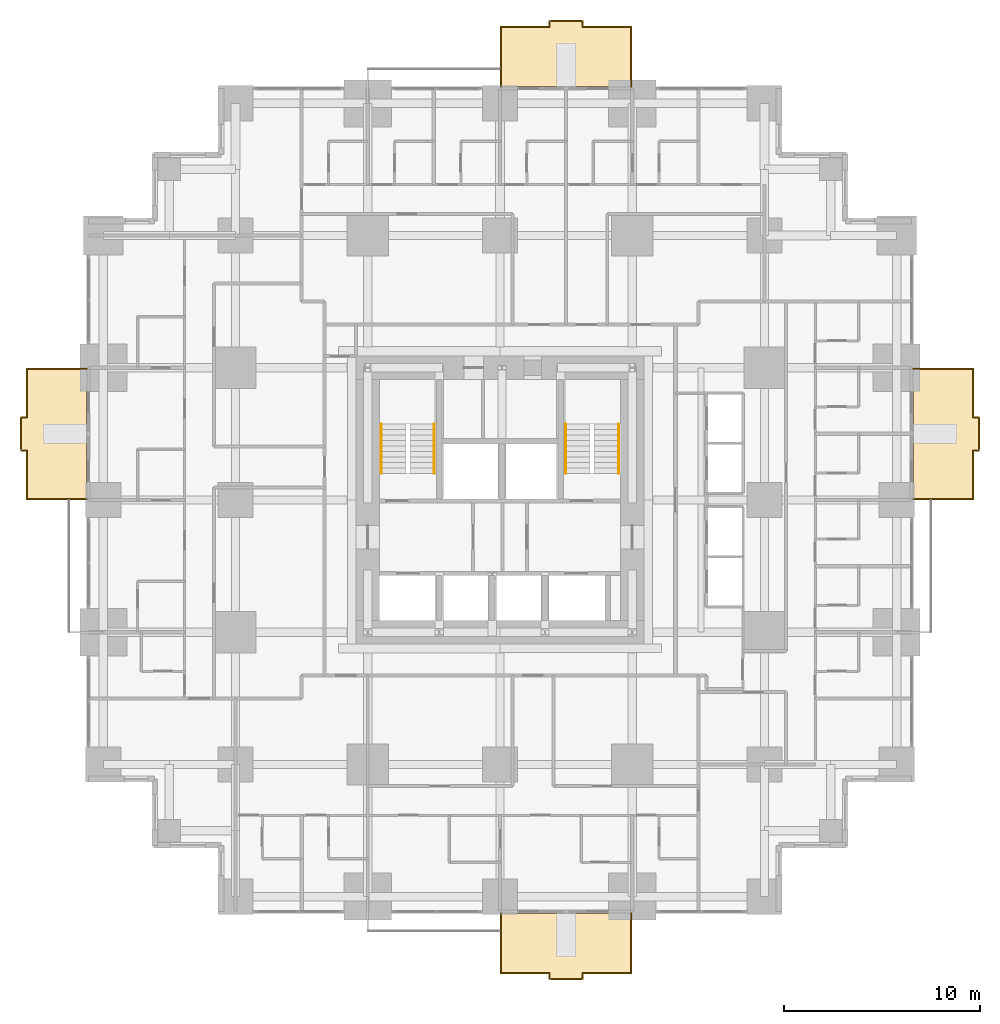
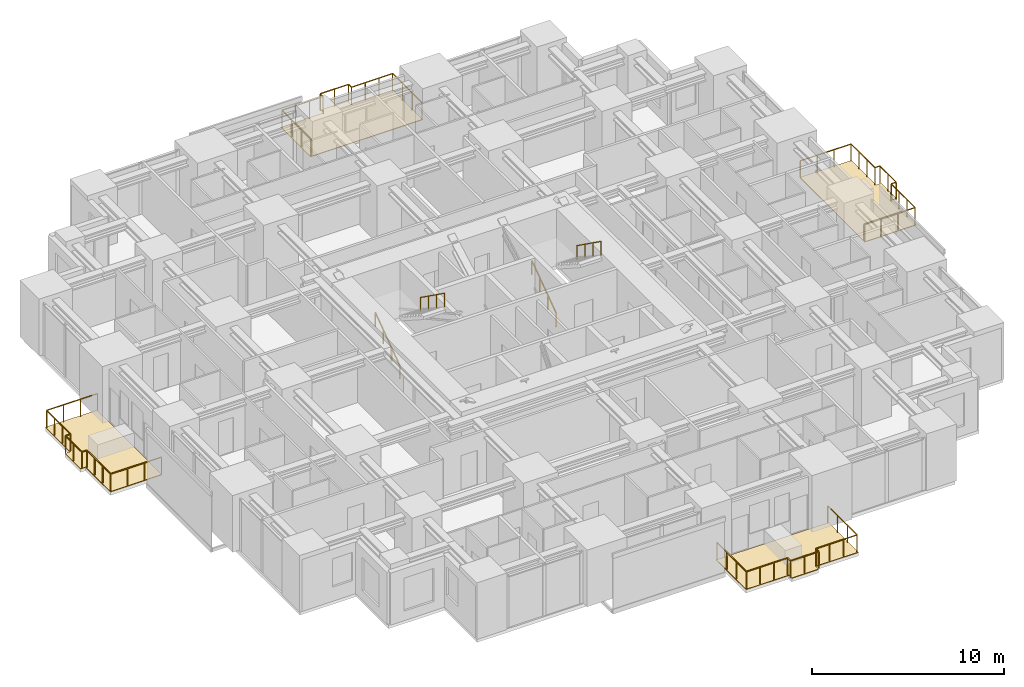
# One storey, part 15 of 15: 8 railings, 4 coverings.
"""IFC4 building model written with IfcOpenShell, lengths in metres."""

from ifc_helpers import new_model, si_unit, direction, frame, origin, origin_2d, place, context, subcontext, project, spatial, polyline, rectangle, outline, extrude, material, layer, layer_set, type_object, element, save


model = new_model("IFC4")

# Units and contexts
model_context = context("Model", 3, precision=1e-05, world=origin(), true_north=direction((0.0, 1.0)))
body_context = subcontext(model_context, "Body", "Model", "MODEL_VIEW")
ifc_project = project(units=[si_unit("LENGTHUNIT", "METRE"), si_unit("AREAUNIT", "SQUARE_METRE"), si_unit("VOLUMEUNIT", "CUBIC_METRE"), si_unit("PLANEANGLEUNIT", "RADIAN"), si_unit("MASSUNIT", "GRAM", prefix="KILO")], contexts=[model_context])

# Site, building, storey
site_placement = place(None, origin())
site = spatial("IfcSite", under=ifc_project, at=site_placement, CompositionType="ELEMENT")
building_placement = place(site_placement, origin())
building = spatial("IfcBuilding", under=site, at=building_placement, Name="Nyansa Garden Tower", CompositionType="ELEMENT")
storey_placement = place(building_placement, frame((0.0, 0.0, 72.0)))
storey = spatial("IfcBuildingStorey", under=building, at=storey_placement, Name="L19", CompositionType="ELEMENT", Elevation=72.0)

# Coverings
ifc_material_1 = material(Name="Hardwood decking on pedestals", Category="wood")
ifc_layer = layer(ifc_material_1, 0.0400390625)
ifc_layer_set = layer_set([ifc_layer], Name="Balcony decking DK40")
covering_type = type_object("IfcCoveringType", Name="Balcony decking DK40", PredefinedType="FLOORING", material=ifc_layer_set)
covering_1_placement = place(storey_placement, frame((0.0, 0.0, -0.0400390625)))
element("IfcCovering", 1, at=covering_1_placement, inside=storey, type_object=covering_type, Name="Balcony decking L19", PredefinedType="FLOORING", context=body_context, shape_type="SweptSolid", body=[
    extrude(outline(polyline([(20.25, -0.85009765625), (27.0, -0.85009765625), (27.0, -3.949951171875), (24.425048828125, -3.949951171875), (24.425048828125, -4.25), (22.824951171875, -4.25), (22.824951171875, -3.949951171875), (20.25, -3.949951171875), (20.25, -0.85009765625)])), origin(), (0.0, 0.0, 1.0), 0.0400390625),
])
covering_2_placement = place(storey_placement, frame((0.0, 0.0, -0.0400390625)))
element("IfcCovering", 2, at=covering_2_placement, inside=storey, type_object=covering_type, Name="Balcony decking L19", PredefinedType="FLOORING", context=body_context, shape_type="SweptSolid", body=[
    extrude(outline(polyline([(41.35009765625, 20.25), (41.35009765625, 27.0), (44.449951171875, 27.0), (44.449951171875, 24.425048828125), (44.75, 24.425048828125), (44.75, 22.824951171875), (44.449951171875, 22.824951171875), (44.449951171875, 20.25), (41.35009765625, 20.25)])), origin(), (0.0, 0.0, 1.0), 0.0400390625),
])
covering_3_placement = place(storey_placement, frame((0.0, 0.0, -0.0400390625)))
element("IfcCovering", 3, at=covering_3_placement, inside=storey, type_object=covering_type, Name="Balcony decking L19", PredefinedType="FLOORING", context=body_context, shape_type="SweptSolid", body=[
    extrude(outline(polyline([(20.25, 41.35009765625), (27.0, 41.35009765625), (27.0, 44.449951171875), (24.425048828125, 44.449951171875), (24.425048828125, 44.75), (22.824951171875, 44.75), (22.824951171875, 44.449951171875), (20.25, 44.449951171875), (20.25, 41.35009765625)])), origin(), (0.0, 0.0, 1.0), 0.0400390625),
])
covering_4_placement = place(storey_placement, frame((0.0, 0.0, -0.0400390625)))
element("IfcCovering", 4, at=covering_4_placement, inside=storey, type_object=covering_type, Name="Balcony decking L19", PredefinedType="FLOORING", context=body_context, shape_type="SweptSolid", body=[
    extrude(outline(polyline([(-0.85009765625, 20.25), (-0.85009765625, 27.0), (-3.949951171875, 27.0), (-3.949951171875, 24.425048828125), (-4.25, 24.425048828125), (-4.25, 22.824951171875), (-3.949951171875, 22.824951171875), (-3.949951171875, 20.25), (-0.85009765625, 20.25)])), origin(), (0.0, 0.0, 1.0), 0.0400390625),
])

# Railings
ifc_material_2 = material(Name="Black powder-coated steel balusters, laminated glass infill", Category="steel")
railing_type_1 = type_object("IfcRailingType", Name="Balcony guard G1", PredefinedType="GUARDRAIL", material=ifc_material_2)
railing_1_placement = place(storey_placement, frame((20.300048828125, -0.85009765625, 0.0)))
element("IfcRailing", 5, at=railing_1_placement, inside=storey, type_object=railing_type_1, Name="Balcony guard L19", PredefinedType="GUARDRAIL", context=body_context, shape_type="SweptSolid", body=[
    extrude(rectangle(XDim=0.048095703125, YDim=0.048095703125, at=origin_2d()), frame((0.0, 0.0, 1.076171875), z_axis=(0.0, -1.0, 0.0), x_axis=(1.0, 0.0, 0.0)), (0.0, 0.0, 1.0), 3.0498046875),
    extrude(rectangle(XDim=0.048095703125, YDim=0.048095703125, at=origin_2d()), frame((0.0, -3.0498046875, 1.076171875), z_axis=(1.0, 0.0, 0.0), x_axis=(0.0, 1.0, 0.0)), (0.0, 0.0, 1.0), 2.474853515625),
    extrude(rectangle(XDim=0.048095703125, YDim=0.048095703125, at=origin_2d()), frame((2.474853515625, -3.0498046875, 1.076171875), z_axis=(0.0, -1.0, 0.0), x_axis=(1.0, 0.0, 0.0)), (0.0, 0.0, 1.0), 0.300048828125),
    extrude(rectangle(XDim=0.048095703125, YDim=0.048095703125, at=origin_2d()), frame((2.474853515625, -3.349853515625, 1.076171875), z_axis=(1.0, 0.0, 0.0), x_axis=(0.0, 1.0, 0.0)), (0.0, 0.0, 1.0), 1.7001953125),
    extrude(rectangle(XDim=0.048095703125, YDim=0.048095703125, at=origin_2d()), frame((4.175048828125, -3.349853515625, 1.076171875), z_axis=(0.0, 1.0, 0.0), x_axis=(-1.0, 0.0, 0.0)), (0.0, 0.0, 1.0), 0.300048828125),
    extrude(rectangle(XDim=0.048095703125, YDim=0.048095703125, at=origin_2d()), frame((4.175048828125, -3.0498046875, 1.076171875), z_axis=(1.0, 0.0, 0.0), x_axis=(0.0, 1.0, 0.0)), (0.0, 0.0, 1.0), 2.474853515625),
    extrude(rectangle(XDim=0.048095703125, YDim=0.048095703125, at=origin_2d()), frame((6.64990234375, -3.0498046875, 1.076171875), z_axis=(0.0, 1.0, 0.0), x_axis=(-1.0, 0.0, 0.0)), (0.0, 0.0, 1.0), 3.0498046875),
    extrude(rectangle(XDim=0.0419921875, YDim=0.0419921875, at=origin_2d()), origin(), (0.0, 0.0, 1.0), 1.052001953125),
    extrude(rectangle(XDim=0.0419921875, YDim=0.0419921875, at=origin_2d()), frame((0.0, -1.0166015625, 0.0)), (0.0, 0.0, 1.0), 1.052001953125),
    extrude(rectangle(XDim=0.0419921875, YDim=0.0419921875, at=origin_2d()), frame((0.0, -2.033203125, 0.0)), (0.0, 0.0, 1.0), 1.052001953125),
    extrude(rectangle(XDim=0.0419921875, YDim=0.0419921875, at=origin_2d()), frame((0.0, -3.0498046875, 0.0)), (0.0, 0.0, 1.0), 1.052001953125),
    extrude(rectangle(XDim=0.0419921875, YDim=0.0419921875, at=origin_2d()), frame((0.824951171875, -3.0498046875, 0.0)), (0.0, 0.0, 1.0), 1.052001953125),
    extrude(rectangle(XDim=0.0419921875, YDim=0.0419921875, at=origin_2d()), frame((1.64990234375, -3.0498046875, 0.0)), (0.0, 0.0, 1.0), 1.052001953125),
    extrude(rectangle(XDim=0.0419921875, YDim=0.0419921875, at=origin_2d()), frame((2.474853515625, -3.0498046875, 0.0)), (0.0, 0.0, 1.0), 1.052001953125),
    extrude(rectangle(XDim=0.0419921875, YDim=0.0419921875, at=origin_2d()), frame((2.474853515625, -3.349853515625, 0.0)), (0.0, 0.0, 1.0), 1.052001953125),
    extrude(rectangle(XDim=0.0419921875, YDim=0.0419921875, at=origin_2d()), frame((3.324951171875, -3.349853515625, 0.0)), (0.0, 0.0, 1.0), 1.052001953125),
    extrude(rectangle(XDim=0.0419921875, YDim=0.0419921875, at=origin_2d()), frame((4.175048828125, -3.349853515625, 0.0)), (0.0, 0.0, 1.0), 1.052001953125),
    extrude(rectangle(XDim=0.0419921875, YDim=0.0419921875, at=origin_2d()), frame((4.175048828125, -3.0498046875, 0.0)), (0.0, 0.0, 1.0), 1.052001953125),
    extrude(rectangle(XDim=0.0419921875, YDim=0.0419921875, at=origin_2d()), frame((5.0, -3.0498046875, 0.0)), (0.0, 0.0, 1.0), 1.052001953125),
    extrude(rectangle(XDim=0.0419921875, YDim=0.0419921875, at=origin_2d()), frame((5.824951171875, -3.0498046875, 0.0)), (0.0, 0.0, 1.0), 1.052001953125),
    extrude(rectangle(XDim=0.0419921875, YDim=0.0419921875, at=origin_2d()), frame((6.64990234375, -3.0498046875, 0.0)), (0.0, 0.0, 1.0), 1.052001953125),
    extrude(rectangle(XDim=0.0419921875, YDim=0.0419921875, at=origin_2d()), frame((6.64990234375, -2.033203125, 0.0)), (0.0, 0.0, 1.0), 1.052001953125),
    extrude(rectangle(XDim=0.0419921875, YDim=0.0419921875, at=origin_2d()), frame((6.64990234375, -1.0166015625, 0.0)), (0.0, 0.0, 1.0), 1.052001953125),
    extrude(rectangle(XDim=0.0419921875, YDim=0.0419921875, at=origin_2d()), frame((6.64990234375, 0.0, 0.0)), (0.0, 0.0, 1.0), 1.052001953125),
])
railing_2_placement = place(storey_placement, frame((41.35009765625, 20.300048828125, 0.0)))
element("IfcRailing", 6, at=railing_2_placement, inside=storey, type_object=railing_type_1, Name="Balcony guard L19", PredefinedType="GUARDRAIL", context=body_context, shape_type="SweptSolid", body=[
    extrude(rectangle(XDim=0.048095703125, YDim=0.048095703125, at=origin_2d()), frame((0.0, 0.0, 1.076171875), z_axis=(1.0, 0.0, 0.0), x_axis=(0.0, 1.0, 0.0)), (0.0, 0.0, 1.0), 3.0498046875),
    extrude(rectangle(XDim=0.048095703125, YDim=0.048095703125, at=origin_2d()), frame((3.0498046875, 0.0, 1.076171875), z_axis=(0.0, 1.0, 0.0), x_axis=(-1.0, 0.0, 0.0)), (0.0, 0.0, 1.0), 2.474853515625),
    extrude(rectangle(XDim=0.048095703125, YDim=0.048095703125, at=origin_2d()), frame((3.0498046875, 2.474853515625, 1.076171875), z_axis=(1.0, 0.0, 0.0), x_axis=(0.0, 1.0, 0.0)), (0.0, 0.0, 1.0), 0.300048828125),
    extrude(rectangle(XDim=0.048095703125, YDim=0.048095703125, at=origin_2d()), frame((3.349853515625, 2.474853515625, 1.076171875), z_axis=(0.0, 1.0, 0.0), x_axis=(-1.0, 0.0, 0.0)), (0.0, 0.0, 1.0), 1.7001953125),
    extrude(rectangle(XDim=0.048095703125, YDim=0.048095703125, at=origin_2d()), frame((3.349853515625, 4.175048828125, 1.076171875), z_axis=(-1.0, 0.0, 0.0), x_axis=(0.0, -1.0, 0.0)), (0.0, 0.0, 1.0), 0.300048828125),
    extrude(rectangle(XDim=0.048095703125, YDim=0.048095703125, at=origin_2d()), frame((3.0498046875, 4.175048828125, 1.076171875), z_axis=(0.0, 1.0, 0.0), x_axis=(-1.0, 0.0, 0.0)), (0.0, 0.0, 1.0), 2.474853515625),
    extrude(rectangle(XDim=0.048095703125, YDim=0.048095703125, at=origin_2d()), frame((3.0498046875, 6.64990234375, 1.076171875), z_axis=(-1.0, 0.0, 0.0), x_axis=(0.0, -1.0, 0.0)), (0.0, 0.0, 1.0), 3.0498046875),
    extrude(rectangle(XDim=0.0419921875, YDim=0.0419921875, at=origin_2d()), origin(), (0.0, 0.0, 1.0), 1.052001953125),
    extrude(rectangle(XDim=0.0419921875, YDim=0.0419921875, at=origin_2d()), frame((1.0166015625, 0.0, 0.0)), (0.0, 0.0, 1.0), 1.052001953125),
    extrude(rectangle(XDim=0.0419921875, YDim=0.0419921875, at=origin_2d()), frame((2.033203125, 0.0, 0.0)), (0.0, 0.0, 1.0), 1.052001953125),
    extrude(rectangle(XDim=0.0419921875, YDim=0.0419921875, at=origin_2d()), frame((3.0498046875, 0.0, 0.0)), (0.0, 0.0, 1.0), 1.052001953125),
    extrude(rectangle(XDim=0.0419921875, YDim=0.0419921875, at=origin_2d()), frame((3.0498046875, 0.824951171875, 0.0)), (0.0, 0.0, 1.0), 1.052001953125),
    extrude(rectangle(XDim=0.0419921875, YDim=0.0419921875, at=origin_2d()), frame((3.0498046875, 1.64990234375, 0.0)), (0.0, 0.0, 1.0), 1.052001953125),
    extrude(rectangle(XDim=0.0419921875, YDim=0.0419921875, at=origin_2d()), frame((3.0498046875, 2.474853515625, 0.0)), (0.0, 0.0, 1.0), 1.052001953125),
    extrude(rectangle(XDim=0.0419921875, YDim=0.0419921875, at=origin_2d()), frame((3.349853515625, 2.474853515625, 0.0)), (0.0, 0.0, 1.0), 1.052001953125),
    extrude(rectangle(XDim=0.0419921875, YDim=0.0419921875, at=origin_2d()), frame((3.349853515625, 3.324951171875, 0.0)), (0.0, 0.0, 1.0), 1.052001953125),
    extrude(rectangle(XDim=0.0419921875, YDim=0.0419921875, at=origin_2d()), frame((3.349853515625, 4.175048828125, 0.0)), (0.0, 0.0, 1.0), 1.052001953125),
    extrude(rectangle(XDim=0.0419921875, YDim=0.0419921875, at=origin_2d()), frame((3.0498046875, 4.175048828125, 0.0)), (0.0, 0.0, 1.0), 1.052001953125),
    extrude(rectangle(XDim=0.0419921875, YDim=0.0419921875, at=origin_2d()), frame((3.0498046875, 5.0, 0.0)), (0.0, 0.0, 1.0), 1.052001953125),
    extrude(rectangle(XDim=0.0419921875, YDim=0.0419921875, at=origin_2d()), frame((3.0498046875, 5.824951171875, 0.0)), (0.0, 0.0, 1.0), 1.052001953125),
    extrude(rectangle(XDim=0.0419921875, YDim=0.0419921875, at=origin_2d()), frame((3.0498046875, 6.64990234375, 0.0)), (0.0, 0.0, 1.0), 1.052001953125),
    extrude(rectangle(XDim=0.0419921875, YDim=0.0419921875, at=origin_2d()), frame((2.033203125, 6.64990234375, 0.0)), (0.0, 0.0, 1.0), 1.052001953125),
    extrude(rectangle(XDim=0.0419921875, YDim=0.0419921875, at=origin_2d()), frame((1.0166015625, 6.64990234375, 0.0)), (0.0, 0.0, 1.0), 1.052001953125),
    extrude(rectangle(XDim=0.0419921875, YDim=0.0419921875, at=origin_2d()), frame((0.0, 6.64990234375, 0.0)), (0.0, 0.0, 1.0), 1.052001953125),
])
railing_3_placement = place(storey_placement, frame((20.300048828125, 41.35009765625, 0.0)))
element("IfcRailing", 7, at=railing_3_placement, inside=storey, type_object=railing_type_1, Name="Balcony guard L19", PredefinedType="GUARDRAIL", context=body_context, shape_type="SweptSolid", body=[
    extrude(rectangle(XDim=0.048095703125, YDim=0.048095703125, at=origin_2d()), frame((0.0, 0.0, 1.076171875), z_axis=(0.0, 1.0, 0.0), x_axis=(-1.0, 0.0, 0.0)), (0.0, 0.0, 1.0), 3.0498046875),
    extrude(rectangle(XDim=0.048095703125, YDim=0.048095703125, at=origin_2d()), frame((0.0, 3.0498046875, 1.076171875), z_axis=(1.0, 0.0, 0.0), x_axis=(0.0, 1.0, 0.0)), (0.0, 0.0, 1.0), 2.474853515625),
    extrude(rectangle(XDim=0.048095703125, YDim=0.048095703125, at=origin_2d()), frame((2.474853515625, 3.0498046875, 1.076171875), z_axis=(0.0, 1.0, 0.0), x_axis=(-1.0, 0.0, 0.0)), (0.0, 0.0, 1.0), 0.300048828125),
    extrude(rectangle(XDim=0.048095703125, YDim=0.048095703125, at=origin_2d()), frame((2.474853515625, 3.349853515625, 1.076171875), z_axis=(1.0, 0.0, 0.0), x_axis=(0.0, 1.0, 0.0)), (0.0, 0.0, 1.0), 1.7001953125),
    extrude(rectangle(XDim=0.048095703125, YDim=0.048095703125, at=origin_2d()), frame((4.175048828125, 3.349853515625, 1.076171875), z_axis=(0.0, -1.0, 0.0), x_axis=(1.0, 0.0, 0.0)), (0.0, 0.0, 1.0), 0.300048828125),
    extrude(rectangle(XDim=0.048095703125, YDim=0.048095703125, at=origin_2d()), frame((4.175048828125, 3.0498046875, 1.076171875), z_axis=(1.0, 0.0, 0.0), x_axis=(0.0, 1.0, 0.0)), (0.0, 0.0, 1.0), 2.474853515625),
    extrude(rectangle(XDim=0.048095703125, YDim=0.048095703125, at=origin_2d()), frame((6.64990234375, 3.0498046875, 1.076171875), z_axis=(0.0, -1.0, 0.0), x_axis=(1.0, 0.0, 0.0)), (0.0, 0.0, 1.0), 3.0498046875),
    extrude(rectangle(XDim=0.0419921875, YDim=0.0419921875, at=origin_2d()), origin(), (0.0, 0.0, 1.0), 1.052001953125),
    extrude(rectangle(XDim=0.0419921875, YDim=0.0419921875, at=origin_2d()), frame((0.0, 1.0166015625, 0.0)), (0.0, 0.0, 1.0), 1.052001953125),
    extrude(rectangle(XDim=0.0419921875, YDim=0.0419921875, at=origin_2d()), frame((0.0, 2.033203125, 0.0)), (0.0, 0.0, 1.0), 1.052001953125),
    extrude(rectangle(XDim=0.0419921875, YDim=0.0419921875, at=origin_2d()), frame((0.0, 3.0498046875, 0.0)), (0.0, 0.0, 1.0), 1.052001953125),
    extrude(rectangle(XDim=0.0419921875, YDim=0.0419921875, at=origin_2d()), frame((0.824951171875, 3.0498046875, 0.0)), (0.0, 0.0, 1.0), 1.052001953125),
    extrude(rectangle(XDim=0.0419921875, YDim=0.0419921875, at=origin_2d()), frame((1.64990234375, 3.0498046875, 0.0)), (0.0, 0.0, 1.0), 1.052001953125),
    extrude(rectangle(XDim=0.0419921875, YDim=0.0419921875, at=origin_2d()), frame((2.474853515625, 3.0498046875, 0.0)), (0.0, 0.0, 1.0), 1.052001953125),
    extrude(rectangle(XDim=0.0419921875, YDim=0.0419921875, at=origin_2d()), frame((2.474853515625, 3.349853515625, 0.0)), (0.0, 0.0, 1.0), 1.052001953125),
    extrude(rectangle(XDim=0.0419921875, YDim=0.0419921875, at=origin_2d()), frame((3.324951171875, 3.349853515625, 0.0)), (0.0, 0.0, 1.0), 1.052001953125),
    extrude(rectangle(XDim=0.0419921875, YDim=0.0419921875, at=origin_2d()), frame((4.175048828125, 3.349853515625, 0.0)), (0.0, 0.0, 1.0), 1.052001953125),
    extrude(rectangle(XDim=0.0419921875, YDim=0.0419921875, at=origin_2d()), frame((4.175048828125, 3.0498046875, 0.0)), (0.0, 0.0, 1.0), 1.052001953125),
    extrude(rectangle(XDim=0.0419921875, YDim=0.0419921875, at=origin_2d()), frame((5.0, 3.0498046875, 0.0)), (0.0, 0.0, 1.0), 1.052001953125),
    extrude(rectangle(XDim=0.0419921875, YDim=0.0419921875, at=origin_2d()), frame((5.824951171875, 3.0498046875, 0.0)), (0.0, 0.0, 1.0), 1.052001953125),
    extrude(rectangle(XDim=0.0419921875, YDim=0.0419921875, at=origin_2d()), frame((6.64990234375, 3.0498046875, 0.0)), (0.0, 0.0, 1.0), 1.052001953125),
    extrude(rectangle(XDim=0.0419921875, YDim=0.0419921875, at=origin_2d()), frame((6.64990234375, 2.033203125, 0.0)), (0.0, 0.0, 1.0), 1.052001953125),
    extrude(rectangle(XDim=0.0419921875, YDim=0.0419921875, at=origin_2d()), frame((6.64990234375, 1.0166015625, 0.0)), (0.0, 0.0, 1.0), 1.052001953125),
    extrude(rectangle(XDim=0.0419921875, YDim=0.0419921875, at=origin_2d()), frame((6.64990234375, 0.0, 0.0)), (0.0, 0.0, 1.0), 1.052001953125),
])
railing_4_placement = place(storey_placement, frame((-0.85009765625, 20.300048828125, 0.0)))
element("IfcRailing", 8, at=railing_4_placement, inside=storey, type_object=railing_type_1, Name="Balcony guard L19", PredefinedType="GUARDRAIL", context=body_context, shape_type="SweptSolid", body=[
    extrude(rectangle(XDim=0.048095703125, YDim=0.048095703125, at=origin_2d()), frame((0.0, 0.0, 1.076171875), z_axis=(-1.0, 0.0, 0.0), x_axis=(0.0, -1.0, 0.0)), (0.0, 0.0, 1.0), 3.0498046875),
    extrude(rectangle(XDim=0.048095703125, YDim=0.048095703125, at=origin_2d()), frame((-3.0498046875, 0.0, 1.076171875), z_axis=(0.0, 1.0, 0.0), x_axis=(-1.0, 0.0, 0.0)), (0.0, 0.0, 1.0), 2.474853515625),
    extrude(rectangle(XDim=0.048095703125, YDim=0.048095703125, at=origin_2d()), frame((-3.0498046875, 2.474853515625, 1.076171875), z_axis=(-1.0, 0.0, 0.0), x_axis=(0.0, -1.0, 0.0)), (0.0, 0.0, 1.0), 0.300048828125),
    extrude(rectangle(XDim=0.048095703125, YDim=0.048095703125, at=origin_2d()), frame((-3.349853515625, 2.474853515625, 1.076171875), z_axis=(0.0, 1.0, 0.0), x_axis=(-1.0, 0.0, 0.0)), (0.0, 0.0, 1.0), 1.7001953125),
    extrude(rectangle(XDim=0.048095703125, YDim=0.048095703125, at=origin_2d()), frame((-3.349853515625, 4.175048828125, 1.076171875), z_axis=(1.0, 0.0, 0.0), x_axis=(0.0, 1.0, 0.0)), (0.0, 0.0, 1.0), 0.300048828125),
    extrude(rectangle(XDim=0.048095703125, YDim=0.048095703125, at=origin_2d()), frame((-3.0498046875, 4.175048828125, 1.076171875), z_axis=(0.0, 1.0, 0.0), x_axis=(-1.0, 0.0, 0.0)), (0.0, 0.0, 1.0), 2.474853515625),
    extrude(rectangle(XDim=0.048095703125, YDim=0.048095703125, at=origin_2d()), frame((-3.0498046875, 6.64990234375, 1.076171875), z_axis=(1.0, 0.0, 0.0), x_axis=(0.0, 1.0, 0.0)), (0.0, 0.0, 1.0), 3.0498046875),
    extrude(rectangle(XDim=0.0419921875, YDim=0.0419921875, at=origin_2d()), origin(), (0.0, 0.0, 1.0), 1.052001953125),
    extrude(rectangle(XDim=0.0419921875, YDim=0.0419921875, at=origin_2d()), frame((-1.0166015625, 0.0, 0.0)), (0.0, 0.0, 1.0), 1.052001953125),
    extrude(rectangle(XDim=0.0419921875, YDim=0.0419921875, at=origin_2d()), frame((-2.033203125, 0.0, 0.0)), (0.0, 0.0, 1.0), 1.052001953125),
    extrude(rectangle(XDim=0.0419921875, YDim=0.0419921875, at=origin_2d()), frame((-3.0498046875, 0.0, 0.0)), (0.0, 0.0, 1.0), 1.052001953125),
    extrude(rectangle(XDim=0.0419921875, YDim=0.0419921875, at=origin_2d()), frame((-3.0498046875, 0.824951171875, 0.0)), (0.0, 0.0, 1.0), 1.052001953125),
    extrude(rectangle(XDim=0.0419921875, YDim=0.0419921875, at=origin_2d()), frame((-3.0498046875, 1.64990234375, 0.0)), (0.0, 0.0, 1.0), 1.052001953125),
    extrude(rectangle(XDim=0.0419921875, YDim=0.0419921875, at=origin_2d()), frame((-3.0498046875, 2.474853515625, 0.0)), (0.0, 0.0, 1.0), 1.052001953125),
    extrude(rectangle(XDim=0.0419921875, YDim=0.0419921875, at=origin_2d()), frame((-3.349853515625, 2.474853515625, 0.0)), (0.0, 0.0, 1.0), 1.052001953125),
    extrude(rectangle(XDim=0.0419921875, YDim=0.0419921875, at=origin_2d()), frame((-3.349853515625, 3.324951171875, 0.0)), (0.0, 0.0, 1.0), 1.052001953125),
    extrude(rectangle(XDim=0.0419921875, YDim=0.0419921875, at=origin_2d()), frame((-3.349853515625, 4.175048828125, 0.0)), (0.0, 0.0, 1.0), 1.052001953125),
    extrude(rectangle(XDim=0.0419921875, YDim=0.0419921875, at=origin_2d()), frame((-3.0498046875, 4.175048828125, 0.0)), (0.0, 0.0, 1.0), 1.052001953125),
    extrude(rectangle(XDim=0.0419921875, YDim=0.0419921875, at=origin_2d()), frame((-3.0498046875, 5.0, 0.0)), (0.0, 0.0, 1.0), 1.052001953125),
    extrude(rectangle(XDim=0.0419921875, YDim=0.0419921875, at=origin_2d()), frame((-3.0498046875, 5.824951171875, 0.0)), (0.0, 0.0, 1.0), 1.052001953125),
    extrude(rectangle(XDim=0.0419921875, YDim=0.0419921875, at=origin_2d()), frame((-3.0498046875, 6.64990234375, 0.0)), (0.0, 0.0, 1.0), 1.052001953125),
    extrude(rectangle(XDim=0.0419921875, YDim=0.0419921875, at=origin_2d()), frame((-2.033203125, 6.64990234375, 0.0)), (0.0, 0.0, 1.0), 1.052001953125),
    extrude(rectangle(XDim=0.0419921875, YDim=0.0419921875, at=origin_2d()), frame((-1.0166015625, 6.64990234375, 0.0)), (0.0, 0.0, 1.0), 1.052001953125),
    extrude(rectangle(XDim=0.0419921875, YDim=0.0419921875, at=origin_2d()), frame((0.0, 6.64990234375, 0.0)), (0.0, 0.0, 1.0), 1.052001953125),
])
ifc_material_3 = material(Name="Black powder-coated steel tube 48 mm", Category="steel")
railing_type_2 = type_object("IfcRailingType", Name="Stair handrail HR1", PredefinedType="HANDRAIL", material=ifc_material_3)
railing_5_placement = place(storey_placement, frame((14.199951171875, 21.60009765625, 0.0)))
element("IfcRailing", 9, at=railing_5_placement, inside=storey, type_object=railing_type_2, Name="Stair S1 handrail L19", PredefinedType="HANDRAIL", context=body_context, shape_type="SweptSolid", body=[
    extrude(rectangle(XDim=0.048095703125, YDim=0.048095703125, at=origin_2d()), frame((0.0, 0.0, 0.8759765625), z_axis=(0.0, 0.813728144527, 0.581245650998), x_axis=(-1.0, 0.0, 0.0)), (0.0, 0.0, 1.0), 3.096923828125),
    extrude(rectangle(XDim=0.0419921875, YDim=0.0419921875, at=origin_2d()), origin(), (0.0, 0.0, 1.0), 0.851806640625),
    extrude(rectangle(XDim=0.0419921875, YDim=0.0419921875, at=origin_2d()), frame((0.0, 0.840087890625, 0.60009765625)), (0.0, 0.0, 1.0), 0.851806640625),
    extrude(rectangle(XDim=0.0419921875, YDim=0.0419921875, at=origin_2d()), frame((0.0, 1.679931640625, 1.199951171875)), (0.0, 0.0, 1.0), 0.851806640625),
    extrude(rectangle(XDim=0.0419921875, YDim=0.0419921875, at=origin_2d()), frame((0.0, 2.52001953125, 1.800048828125)), (0.0, 0.0, 1.0), 0.851806640625),
])
railing_6_placement = place(storey_placement, frame((16.89990234375, 24.1201171875, 1.800048828125)))
element("IfcRailing", 10, at=railing_6_placement, inside=storey, type_object=railing_type_2, Name="Stair S1 handrail L19", PredefinedType="HANDRAIL", context=body_context, shape_type="SweptSolid", body=[
    extrude(rectangle(XDim=0.048095703125, YDim=0.048095703125, at=origin_2d()), frame((0.0, 0.0, 0.8759765625), z_axis=(0.0, -0.813728144527, 0.581245650998), x_axis=(1.0, 0.0, 0.0)), (0.0, 0.0, 1.0), 3.096923828125),
    extrude(rectangle(XDim=0.0419921875, YDim=0.0419921875, at=origin_2d()), origin(), (0.0, 0.0, 1.0), 0.851806640625),
    extrude(rectangle(XDim=0.0419921875, YDim=0.0419921875, at=origin_2d()), frame((0.0, -0.840087890625, 0.60009765625)), (0.0, 0.0, 1.0), 0.851806640625),
    extrude(rectangle(XDim=0.0419921875, YDim=0.0419921875, at=origin_2d()), frame((0.0, -1.679931640625, 1.199951171875)), (0.0, 0.0, 1.0), 0.851806640625),
    extrude(rectangle(XDim=0.0419921875, YDim=0.0419921875, at=origin_2d()), frame((0.0, -2.52001953125, 1.800048828125)), (0.0, 0.0, 1.0), 0.851806640625),
])
railing_7_placement = place(storey_placement, frame((23.60009765625, 21.60009765625, 0.0)))
element("IfcRailing", 11, at=railing_7_placement, inside=storey, type_object=railing_type_2, Name="Stair S2 handrail L19", PredefinedType="HANDRAIL", context=body_context, shape_type="SweptSolid", body=[
    extrude(rectangle(XDim=0.048095703125, YDim=0.048095703125, at=origin_2d()), frame((0.0, 0.0, 0.8759765625), z_axis=(0.0, 0.813728144527, 0.581245650998), x_axis=(-1.0, 0.0, 0.0)), (0.0, 0.0, 1.0), 3.096923828125),
    extrude(rectangle(XDim=0.0419921875, YDim=0.0419921875, at=origin_2d()), origin(), (0.0, 0.0, 1.0), 0.851806640625),
    extrude(rectangle(XDim=0.0419921875, YDim=0.0419921875, at=origin_2d()), frame((0.0, 0.840087890625, 0.60009765625)), (0.0, 0.0, 1.0), 0.851806640625),
    extrude(rectangle(XDim=0.0419921875, YDim=0.0419921875, at=origin_2d()), frame((0.0, 1.679931640625, 1.199951171875)), (0.0, 0.0, 1.0), 0.851806640625),
    extrude(rectangle(XDim=0.0419921875, YDim=0.0419921875, at=origin_2d()), frame((0.0, 2.52001953125, 1.800048828125)), (0.0, 0.0, 1.0), 0.851806640625),
])
railing_8_placement = place(storey_placement, frame((26.300048828125, 24.1201171875, 1.800048828125)))
element("IfcRailing", 12, at=railing_8_placement, inside=storey, type_object=railing_type_2, Name="Stair S2 handrail L19", PredefinedType="HANDRAIL", context=body_context, shape_type="SweptSolid", body=[
    extrude(rectangle(XDim=0.048095703125, YDim=0.048095703125, at=origin_2d()), frame((0.0, 0.0, 0.8759765625), z_axis=(0.0, -0.813728144527, 0.581245650998), x_axis=(1.0, 0.0, 0.0)), (0.0, 0.0, 1.0), 3.096923828125),
    extrude(rectangle(XDim=0.0419921875, YDim=0.0419921875, at=origin_2d()), origin(), (0.0, 0.0, 1.0), 0.851806640625),
    extrude(rectangle(XDim=0.0419921875, YDim=0.0419921875, at=origin_2d()), frame((0.0, -0.840087890625, 0.60009765625)), (0.0, 0.0, 1.0), 0.851806640625),
    extrude(rectangle(XDim=0.0419921875, YDim=0.0419921875, at=origin_2d()), frame((0.0, -1.679931640625, 1.199951171875)), (0.0, 0.0, 1.0), 0.851806640625),
    extrude(rectangle(XDim=0.0419921875, YDim=0.0419921875, at=origin_2d()), frame((0.0, -2.52001953125, 1.800048828125)), (0.0, 0.0, 1.0), 0.851806640625),
])

save(model, "model.ifc")
